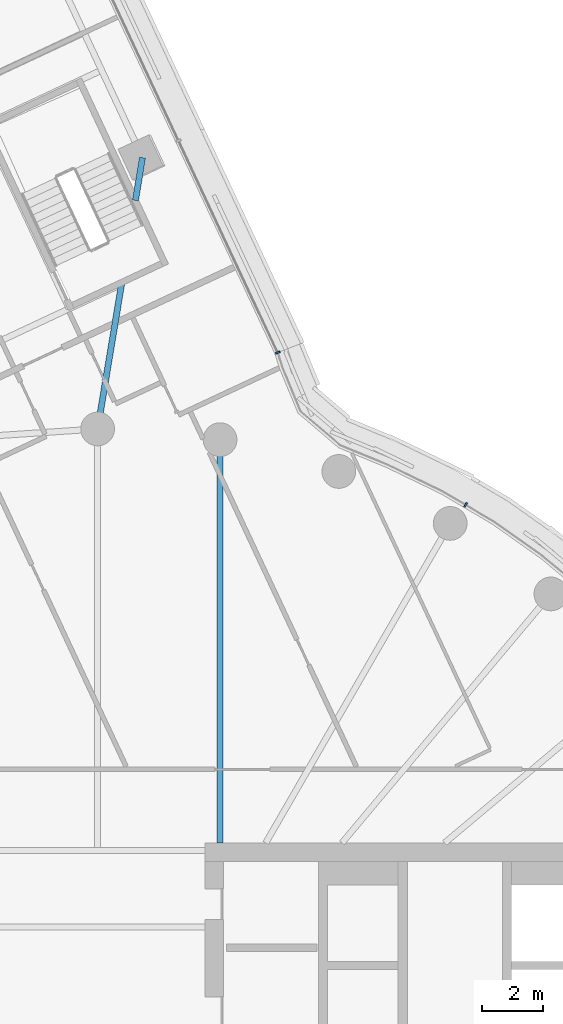
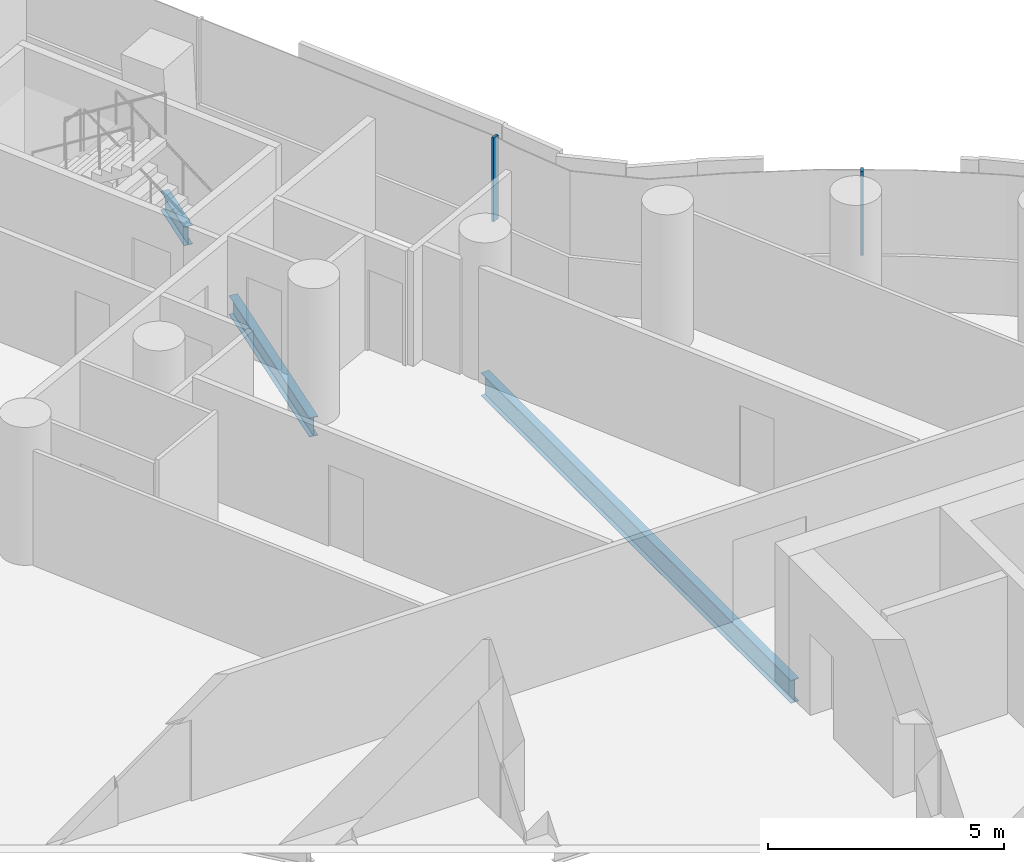
# One storey, part 16 of 36: 3 beams, 2 members, 2 elements without a shape of their own.
"""IFC4 building model written with IfcOpenShell, lengths in metres."""

import ifcopenshell
import ifcopenshell.guid

model = None  # the IFC model being written
_history = None  # IfcOwnerHistory: only IFC2X3 demands one
_inside = {}  # id of a spatial element -> (the spatial element, [elements in it])
_under = {}  # id of a project, library or spatial element -> (it, [spatial elements below it])
_declared = {}  # id of a project -> (the project, [libraries it declares])
_typed = {}  # id of a type object -> (the type object, [elements of that type])
_made_of = {}  # id of a material, layer set ... -> (it, [elements and type objects made of it])


def new_model(schema):
    """Start an empty IFC model of exactly this schema.

    Asked for "IFC4X3", IfcOpenShell would pick the latest addendum, in which some entities
    have other attributes; the version numbers below select the first issue.
    IFC2X3 requires an IfcOwnerHistory on every rooted entity: one is made here for all.
    """
    global model, _history
    if schema == "IFC4X3":
        model = ifcopenshell.file(schema_version=(4, 3, 0, 0))
    else:
        model = ifcopenshell.file(schema=schema)
    _inside.clear()
    _under.clear()
    _declared.clear()
    _typed.clear()
    _made_of.clear()
    _history = None
    if model.schema == "IFC2X3":
        org = make("IfcOrganization", Name="unknown")
        user = make(
            "IfcPersonAndOrganization",
            ThePerson=make("IfcPerson", FamilyName="unknown"),
            TheOrganization=org,
        )
        app = make(
            "IfcApplication",
            ApplicationDeveloper=org,
            Version="unknown",
            ApplicationFullName="unknown",
            ApplicationIdentifier="unknown",
        )
        _history = make(
            "IfcOwnerHistory",
            OwningUser=user,
            OwningApplication=app,
            ChangeAction="ADDED",
            CreationDate=0,
        )
    return model


def make(cls, **values):
    """One entity of the class cls with the attributes given. An attribute that is None is left unset."""
    return model.create_entity(
        cls, **{name: value for name, value in values.items() if value is not None}
    )


def rooted(cls, **values):
    """An entity with a GlobalId (a new one), such as an element, a storey or a relation."""
    return make(cls, GlobalId=ifcopenshell.guid.new(), OwnerHistory=_history, **values)


def si_unit(unit_type, name, prefix=None):
    """IfcSIUnit, for example si_unit("LENGTHUNIT", "METRE", prefix="MILLI")."""
    return make("IfcSIUnit", UnitType=unit_type, Prefix=prefix, Name=name)


def assignment(units):
    """IfcUnitAssignment: the units of a project."""
    return None if units is None else make("IfcUnitAssignment", Units=units)


def point(xyz):
    """IfcCartesianPoint."""
    return None if xyz is None else make("IfcCartesianPoint", Coordinates=xyz)


def direction(xyz):
    """IfcDirection."""
    return None if xyz is None else make("IfcDirection", DirectionRatios=xyz)


def frame(location, z_axis=None, x_axis=None):
    """IfcAxis2Placement3D, a coordinate frame: its origin and axes. An axis left out is left unset."""
    return make(
        "IfcAxis2Placement3D",
        Location=point(location),
        Axis=direction(z_axis),
        RefDirection=direction(x_axis),
    )


def frame_2d(location, x_axis=None):
    """IfcAxis2Placement2D, a coordinate frame in the plane: its origin and x axis."""
    return make(
        "IfcAxis2Placement2D", Location=point(location), RefDirection=direction(x_axis)
    )


def origin():
    """The frame at (0, 0, 0) with its axes left unset."""
    return frame((0.0, 0.0, 0.0))


def origin_2d():
    """The frame at (0, 0) in the plane with its x axis left unset."""
    return frame_2d((0.0, 0.0))


def place(relative_to, where):
    """IfcLocalPlacement: puts the frame where relative to a parent placement (None: the world)."""
    return make(
        "IfcLocalPlacement", PlacementRelTo=relative_to, RelativePlacement=where
    )


def context(
    kind, dimensions, precision=None, world=None, true_north=None, identifier=None
):
    """IfcGeometricRepresentationContext, for example the 3D "Model" context."""
    return make(
        "IfcGeometricRepresentationContext",
        ContextIdentifier=identifier,
        ContextType=kind,
        CoordinateSpaceDimension=dimensions,
        Precision=precision,
        WorldCoordinateSystem=world,
        TrueNorth=true_north,
    )


def subcontext(parent, identifier, kind, view, scale=None):
    """IfcGeometricRepresentationSubContext, for example "Body" below "Model"."""
    return make(
        "IfcGeometricRepresentationSubContext",
        ContextIdentifier=identifier,
        ContextType=kind,
        ParentContext=parent,
        TargetScale=scale,
        TargetView=view,
    )


def project(units=None, contexts=None):
    """IfcProject with its units and contexts."""
    return rooted(
        "IfcProject",
        Name="project",
        RepresentationContexts=contexts,
        UnitsInContext=assignment(units),
    )


def spatial(cls, under=None, at=None, **own):
    """A site, building, storey or space (cls), placed at a placement, below another one or the project."""
    s = rooted(cls, ObjectPlacement=at, **own)
    if under is not None:
        _under.setdefault(under.id(), (under, []))[1].append(s)
    return s


def profile(cls, at=None, kind="AREA", **sizes):
    """A parametric profile (cls). Its sizes go by their IFC names, for example OverallWidth=200.0."""
    return make(cls, ProfileType=kind, Position=at, **sizes)


def rectangle(**sizes):
    """IfcRectangleProfileDef."""
    return profile("IfcRectangleProfileDef", **sizes)


def i_section(**sizes):
    """IfcIShapeProfileDef."""
    return profile("IfcIShapeProfileDef", **sizes)


def extrude(swept, where, along, depth):
    """IfcExtrudedAreaSolid: the profile swept, set in the frame where, extruded along a direction by depth."""
    return make(
        "IfcExtrudedAreaSolid",
        SweptArea=swept,
        Position=where,
        ExtrudedDirection=direction(along),
        Depth=depth,
    )


def shape(context_of_items, identifier, shape_type, items):
    """IfcShapeRepresentation: the items that make up one representation, for example the "Body"."""
    return make(
        "IfcShapeRepresentation",
        ContextOfItems=context_of_items,
        RepresentationIdentifier=identifier,
        RepresentationType=shape_type,
        Items=items,
    )


def material(Name=None, Category=None):
    """IfcMaterial."""
    return make("IfcMaterial", Name=Name, Category=Category)


def layer(
    of_material, thickness, ventilated=None, Name=None, Category=None, Priority=None
):
    """IfcMaterialLayer: one layer of a wall or slab, of a material (None: an air gap)."""
    return make(
        "IfcMaterialLayer",
        Material=of_material,
        LayerThickness=thickness,
        IsVentilated=ventilated,
        Name=Name,
        Category=Category,
        Priority=Priority,
    )


def layer_set(layers, Name=None):
    """IfcMaterialLayerSet."""
    return make("IfcMaterialLayerSet", MaterialLayers=layers, LayerSetName=Name)


def material_profile(
    of_material, cross_section, Name=None, Category=None, Priority=None
):
    """IfcMaterialProfile: a cross section and its material."""
    return make(
        "IfcMaterialProfile",
        Name=Name,
        Material=of_material,
        Profile=cross_section,
        Priority=Priority,
        Category=Category,
    )


def profile_set(profiles, Name=None, composite=None):
    """IfcMaterialProfileSet."""
    return make(
        "IfcMaterialProfileSet",
        Name=Name,
        MaterialProfiles=profiles,
        CompositeProfile=composite,
    )


def made_of(thing, what):
    """Note that an element or type object is made of a material, layer set ...; save() writes the relation."""
    if what is not None:
        _made_of.setdefault(what.id(), (what, []))[1].append(thing)
    return thing


def type_object(cls, material=None, **own):
    """A type object (cls), such as IfcWallType, which elements share."""
    return made_of(rooted(cls, **own), material)


def element(
    cls,
    number,
    at=None,
    inside=None,
    cuts=None,
    type_object=None,
    material=None,
    context=None,
    identifier="Body",
    shape_type=None,
    held_by="IfcProductDefinitionShape",
    body=None,
    shapes=None,
    **own,
):
    """One element of the class cls, such as IfcWall. Its Tag is "e" and its number.

    at: its placement. inside: the storey or other place that contains it. cuts: it is an
    opening in that element (IfcRelVoidsElement). A single representation is given by context,
    identifier, shape_type and body (its items); several are given by shapes. held_by: the class
    of the entity that holds the representations. save() writes the other relations.
    """
    e = rooted(cls, Tag="e%d" % number, ObjectPlacement=at, **own)
    if body is not None:
        shapes = [shape(context, identifier, shape_type, body)]
    if shapes is not None:
        e.Representation = make(held_by, Representations=shapes)
    if inside is not None:
        _inside.setdefault(inside.id(), (inside, []))[1].append(e)
    if cuts is not None:
        rooted(
            "IfcRelVoidsElement", RelatingBuildingElement=cuts, RelatedOpeningElement=e
        )
    if type_object is not None:
        _typed.setdefault(type_object.id(), (type_object, []))[1].append(e)
    return made_of(e, material)


def aggregate(whole, parts):
    """IfcRelAggregates: a whole, such as a stair, and the parts it consists of."""
    return rooted("IfcRelAggregates", RelatingObject=whole, RelatedObjects=parts)


def save(model, path):
    """Write the relations noted so far, then the file.

    IfcRelAggregates (storeys below a building ...), IfcRelContainedInSpatialStructure (elements
    in a storey), IfcRelDefinesByType, IfcRelAssociatesMaterial and IfcRelDeclares: one each for
    every whole, place, type object, material and project.
    """
    for whole, parts in _under.values():
        aggregate(whole, parts)
    for where, things in _inside.values():
        rooted(
            "IfcRelContainedInSpatialStructure",
            RelatedElements=things,
            RelatingStructure=where,
        )
    for kind, things in _typed.values():
        rooted("IfcRelDefinesByType", RelatedObjects=things, RelatingType=kind)
    for what, things in _made_of.values():
        rooted("IfcRelAssociatesMaterial", RelatedObjects=things, RelatingMaterial=what)
    for by, libraries in _declared.values():
        rooted("IfcRelDeclares", RelatingContext=by, RelatedDefinitions=libraries)
    model.write(path)


model = new_model("IFC4")

# Units and contexts
model_context = context("Model", 3, precision=1e-05, world=origin(), true_north=direction((0.0, 1.0)))
body_context = subcontext(model_context, "Body", "Model", "MODEL_VIEW")
ifc_project = project(units=[si_unit("LENGTHUNIT", "METRE"), si_unit("AREAUNIT", "SQUARE_METRE"), si_unit("VOLUMEUNIT", "CUBIC_METRE"), si_unit("PLANEANGLEUNIT", "RADIAN"), si_unit("MASSUNIT", "GRAM", prefix="KILO")], contexts=[model_context])

# Site, building, storey
site_placement = place(None, origin())
site = spatial("IfcSite", under=ifc_project, at=site_placement, CompositionType="ELEMENT")
building_placement = place(site_placement, origin())
building = spatial("IfcBuilding", under=site, at=building_placement, Name="Tamarind Cross Interchange Tower", CompositionType="ELEMENT")
storey_placement = place(building_placement, frame((0.0, 0.0, 124.75)))
storey = spatial("IfcBuildingStorey", under=building, at=storey_placement, Name="L30", CompositionType="ELEMENT", Elevation=124.75)

# Beams
ifc_material_1 = material(Name="Steel Q355B", Category="steel")
ifc_material_profile_1 = material_profile(ifc_material_1, i_section(OverallWidth=0.198974609375, OverallDepth=0.49609375, WebThickness=0.009033203125, FlangeThickness=0.013916015625, FilletRadius=0.012939453125, at=origin_2d()), Name="HN 496x199x9x14")
ifc_profile_set_1 = profile_set([ifc_material_profile_1], Name="Steel Q355B")
beam_type_1 = type_object("IfcBeamType", Name="Composite beam HN 496x199x9x14 Q355B", PredefinedType="BEAM", material=ifc_profile_set_1)
beam_1_placement = place(storey_placement, frame((1.464111328125, 31.8486328125, -0.387939453125), z_axis=(-0.163222492071, -0.986589285408, 0.0), x_axis=(0.986589285408, -0.163222492071, 0.0)))
element("IfcBeam", 1, at=beam_1_placement, inside=storey, type_object=beam_type_1, Name="Beam N-linkemt0", PredefinedType="BEAM", context=body_context, shape_type="SweptSolid", body=[
    extrude(i_section(OverallWidth=0.198974609375, OverallDepth=0.49609375, WebThickness=0.009033203125, FlangeThickness=0.013916015625, FilletRadius=0.012939453125, at=origin_2d()), origin(), (0.0, 0.0, 1.0), 1.41357421875),
])
beam_2_placement = place(storey_placement, frame((0.790771484375, 27.780029296875, -0.387939453125), z_axis=(-0.163214016898, -0.986590687513, 0.0), x_axis=(0.986590687513, -0.163214016898, 0.0)))
element("IfcBeam", 2, at=beam_2_placement, inside=storey, type_object=beam_type_1, Name="Beam N-linkemt1", PredefinedType="BEAM", context=body_context, shape_type="SweptSolid", body=[
    extrude(i_section(OverallWidth=0.198974609375, OverallDepth=0.49609375, WebThickness=0.009033203125, FlangeThickness=0.013916015625, FilletRadius=0.012939453125, at=origin_2d()), origin(), (0.0, 0.0, 1.0), 4.844970703125),
])
ifc_material_profile_2 = material_profile(ifc_material_1, i_section(OverallWidth=0.198974609375, OverallDepth=0.595947265625, WebThickness=0.010009765625, FlangeThickness=0.014892578125, FilletRadius=0.012939453125, at=origin_2d()), Name="HN 596x199x10x15")
ifc_profile_set_2 = profile_set([ifc_material_profile_2], Name="Steel Q355B")
beam_type_2 = type_object("IfcBeamType", Name="Composite beam HN 596x199x10x15 Q355B", PredefinedType="BEAM", material=ifc_profile_set_2)
beam_3_placement = place(storey_placement, frame((3.993896484375, 22.650634765625, -0.43798828125), z_axis=(0.0, -1.0, 0.0), x_axis=(1.0, 0.0, 0.0)))
element("IfcBeam", 3, at=beam_3_placement, inside=storey, type_object=beam_type_2, Name="Beam HH08", PredefinedType="BEAM", context=body_context, shape_type="SweptSolid", body=[
    extrude(i_section(OverallWidth=0.198974609375, OverallDepth=0.595947265625, WebThickness=0.010009765625, FlangeThickness=0.014892578125, FilletRadius=0.012939453125, at=origin_2d()), origin(), (0.0, 0.0, 1.0), 13.150634765625),
])

# Curtain wall, member
ifc_material_2 = material(Name="Aluminium 6063-T6", Category="aluminium")
ifc_layer = layer(ifc_material_2, 0.159912109375)
ifc_layer_set = layer_set([ifc_layer], Name="Aluminium 6063-T6")
curtain_wall_type = type_object("IfcCurtainWallType", Name="Office curtain wall, 9.0 m bays", PredefinedType="NOTDEFINED", material=ifc_layer_set)
curtain_wall_1_placement = place(storey_placement, origin())
curtain_wall_1 = element("IfcCurtainWall", 4, at=curtain_wall_1_placement, inside=storey, type_object=curtain_wall_type, Name="CWS-L30-10", PredefinedType="NOTDEFINED")
ifc_material_profile_3 = material_profile(ifc_material_2, rectangle(XDim=0.06005859375, YDim=0.159912109375, at=origin_2d()), Name="Mullion CW1")
ifc_profile_set_3 = profile_set([ifc_material_profile_3], Name="Aluminium 6063-T6")
member_type = type_object("IfcMemberType", Name="Mullion CW1", PredefinedType="MULLION", material=ifc_profile_set_3)
member_1_placement = place(storey_placement, frame((12.0009765625, 20.524658203125, 1.39990234375), z_axis=(0.0, 0.0, 1.0), x_axis=(-0.861248933065, 0.508183308752, 0.0)))
member_1 = element("IfcMember", 5, at=member_1_placement, type_object=member_type, Name="CWM-L30-10-02", PredefinedType="MULLION", context=body_context, shape_type="SweptSolid", body=[
    extrude(rectangle(XDim=0.06005859375, YDim=0.159912109375, at=origin_2d()), origin(), (0.0, 0.0, 1.0), 2.170166015625),
])
aggregate(curtain_wall_1, [member_1])

curtain_wall_2_placement = place(storey_placement, origin())
curtain_wall_2 = element("IfcCurtainWall", 6, at=curtain_wall_2_placement, inside=storey, type_object=curtain_wall_type, Name="CWS-L30-11", PredefinedType="NOTDEFINED")
member_2_placement = place(storey_placement, frame((5.87451171875, 25.489990234375, 1.39990234375), z_axis=(0.0, 0.0, 1.0), x_axis=(-0.36366097453, 0.93153137124, 0.0)))
member_2 = element("IfcMember", 7, at=member_2_placement, type_object=member_type, Name="CWM-L30-11-00", PredefinedType="MULLION", context=body_context, shape_type="SweptSolid", body=[
    extrude(rectangle(XDim=0.06005859375, YDim=0.159912109375, at=origin_2d()), origin(), (0.0, 0.0, 1.0), 2.170166015625),
])
aggregate(curtain_wall_2, [member_2])

save(model, "model.ifc")
